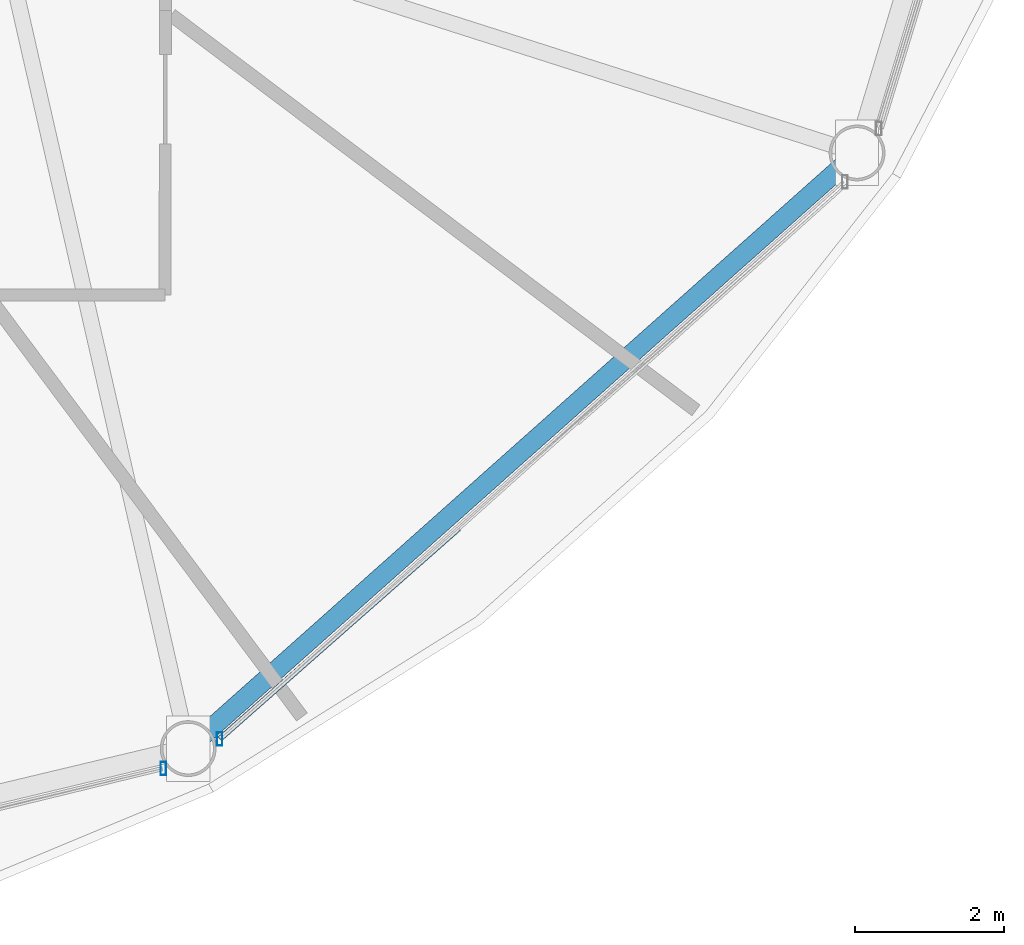
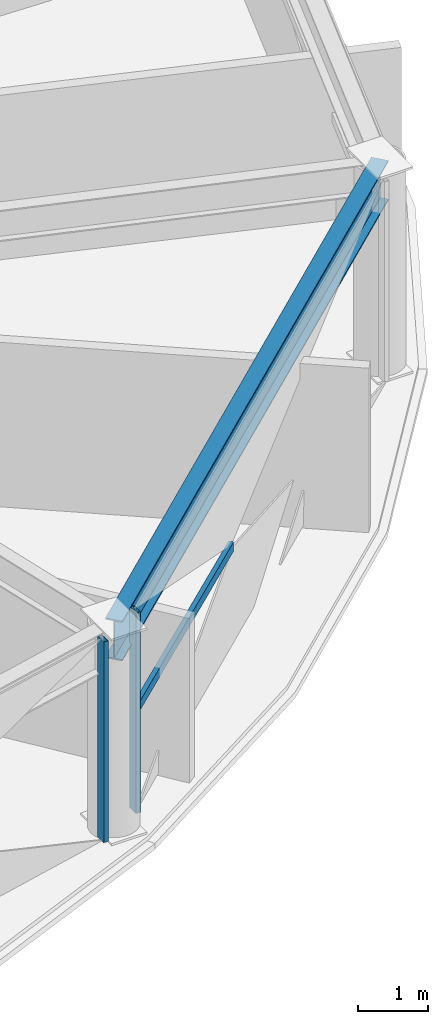
# One storey, part 9 of 29: 3 members, 1 beam, 2 elements without a shape of their own.
"""IFC4 building model written with IfcOpenShell, lengths in metres."""

from ifc_helpers import new_model, si_unit, direction, frame, origin, origin_2d, place, context, subcontext, project, spatial, hollow_rectangle, i_section, extrude, material, layer, layer_set, material_profile, profile_set, type_object, element, aggregate, save


model = new_model("IFC4")

# Units and contexts
model_context = context("Model", 3, precision=1e-05, world=origin(), true_north=direction((0.0, 1.0)))
body_context = subcontext(model_context, "Body", "Model", "MODEL_VIEW")
ifc_project = project(units=[si_unit("LENGTHUNIT", "METRE"), si_unit("AREAUNIT", "SQUARE_METRE"), si_unit("VOLUMEUNIT", "CUBIC_METRE"), si_unit("PLANEANGLEUNIT", "RADIAN"), si_unit("MASSUNIT", "GRAM", prefix="KILO")], contexts=[model_context])

# Site, building, storey
site_placement = place(None, origin())
site = spatial("IfcSite", under=ifc_project, at=site_placement, CompositionType="ELEMENT")
building_placement = place(site_placement, origin())
building = spatial("IfcBuilding", under=site, at=building_placement, Name="Vantalir Tower", CompositionType="ELEMENT")
storey_placement = place(building_placement, frame((0.0, 0.0, 168.449951171875)))
storey = spatial("IfcBuildingStorey", under=building, at=storey_placement, Name="L42", CompositionType="ELEMENT", Elevation=168.449951171875)

# Beam
ifc_material_1 = material(Name="Steel S460", Category="steel")
ifc_material_profile_1 = material_profile(ifc_material_1, i_section(OverallWidth=0.256103515625, OverallDepth=0.693115234375, WebThickness=0.014404296875, FlangeThickness=0.023681640625, at=origin_2d()), Name="Steel S460")
ifc_profile_set_1 = profile_set([ifc_material_profile_1], Name="Steel S460")
beam_type = type_object("IfcBeamType", Name="BM-RG-686x254", PredefinedType="USERDEFINED", material=ifc_profile_set_1)
beam_placement = place(storey_placement, frame((43.76806640625, 6.0791015625, 3.22412109375), z_axis=(0.746841140724, 0.66500248911, 0.0), x_axis=(-0.66500248911, 0.746841140724, 0.0)))
element("IfcBeam", 1, at=beam_placement, inside=storey, type_object=beam_type, Name="L42 Circumferential Ring Girder 11", ObjectType="GIRDER", PredefinedType="USERDEFINED", context=body_context, shape_type="SweptSolid", body=[
    extrude(i_section(OverallWidth=0.256103515625, OverallDepth=0.693115234375, WebThickness=0.014404296875, FlangeThickness=0.023681640625, at=origin_2d()), origin(), (0.0, 0.0, 1.0), 12.025146484375),
])

# Curtain wall, member
ifc_material_2 = material(Name="Champagne-silver PVDF aluminium and double-silver Low-E glass", Category="aluminium")
ifc_layer = layer(ifc_material_2, 0.199951171875)
ifc_layer_set = layer_set([ifc_layer], Name="Champagne-silver PVDF aluminium and double-silver Low-E glass")
curtain_wall_type = type_object("IfcCurtainWallType", Name="CW-DIAMOND-Z2", PredefinedType="USERDEFINED", material=ifc_layer_set)
curtain_wall_1_placement = place(storey_placement, origin())
curtain_wall_1 = element("IfcCurtainWall", 2, at=curtain_wall_1_placement, inside=storey, type_object=curtain_wall_type, Name="L42 Quilted Pyramid-Diamond Curtain Wall S10", ObjectType="UNITISED CURTAIN WALL", PredefinedType="USERDEFINED")
ifc_material_3 = material(Name="Champagne-silver PVDF aluminium 6063-T6", Category="aluminium")
ifc_material_profile_2 = material_profile(ifc_material_3, hollow_rectangle(XDim=0.074951171875, YDim=0.179931640625, WallThickness=0.00390625, at=origin_2d()), Name="Champagne-silver PVDF aluminium 6063-T6")
ifc_profile_set_2 = profile_set([ifc_material_profile_2], Name="Champagne-silver PVDF aluminium 6063-T6")
member_type_1 = type_object("IfcMemberType", Name="CWM-180x75", PredefinedType="MULLION", material=ifc_profile_set_2)
member_1_placement = place(storey_placement, frame((43.43505859375, 5.81298828125, 0.045166015625), z_axis=(0.0, 0.0, 1.0), x_axis=(1.0, 0.0, 0.0)))
member_1 = element("IfcMember", 3, at=member_1_placement, type_object=member_type_1, Name="CW-L42-S10 Mullion 2", PredefinedType="MULLION", context=body_context, shape_type="SweptSolid", body=[
    extrude(hollow_rectangle(XDim=0.074951171875, YDim=0.179931640625, WallThickness=0.00390625, at=origin_2d()), origin(), (0.0, 0.0, 1.0), 3.47998046875),
])
aggregate(curtain_wall_1, [member_1])

# Curtain wall, members
curtain_wall_2_placement = place(storey_placement, origin())
curtain_wall_2 = element("IfcCurtainWall", 4, at=curtain_wall_2_placement, inside=storey, type_object=curtain_wall_type, Name="L42 Quilted Pyramid-Diamond Curtain Wall S11", ObjectType="UNITISED CURTAIN WALL", PredefinedType="USERDEFINED")
member_2_placement = place(storey_placement, frame((44.19091796875, 6.2080078125, 0.045166015625), z_axis=(0.0, 0.0, 1.0), x_axis=(1.0, 0.0, 0.0)))
member_2 = element("IfcMember", 5, at=member_2_placement, type_object=member_type_1, Name="CW-L42-S11 Mullion 1", PredefinedType="MULLION", context=body_context, shape_type="SweptSolid", body=[
    extrude(hollow_rectangle(XDim=0.074951171875, YDim=0.179931640625, WallThickness=0.00390625, at=origin_2d()), origin(), (0.0, 0.0, 1.0), 3.47998046875),
])
ifc_material_profile_3 = material_profile(ifc_material_3, hollow_rectangle(XDim=0.074951171875, YDim=0.159912109375, WallThickness=0.00390625, at=origin_2d()), Name="Champagne-silver PVDF aluminium 6063-T6")
ifc_profile_set_3 = profile_set([ifc_material_profile_3], Name="Champagne-silver PVDF aluminium 6063-T6")
member_type_2 = type_object("IfcMemberType", Name="CWT-160x75", PredefinedType="USERDEFINED", material=ifc_profile_set_3)
member_3_placement = place(storey_placement, frame((44.19091796875, 6.2080078125, 1.78515625), z_axis=(0.750392725448, 0.660992252296, 0.0), x_axis=(-0.660992252296, 0.750392725448, 0.0)))
member_3 = element("IfcMember", 6, at=member_3_placement, type_object=member_type_2, Name="CW-L42-S11 Pyramid Fold Ridge Transom", ObjectType="TRANSOM", PredefinedType="USERDEFINED", context=body_context, shape_type="SweptSolid", body=[
    extrude(hollow_rectangle(XDim=0.074951171875, YDim=0.159912109375, WallThickness=0.00390625, at=origin_2d()), origin(), (0.0, 0.0, 1.0), 4.27392578125),
])
aggregate(curtain_wall_2, [member_2, member_3])

save(model, "model.ifc")
